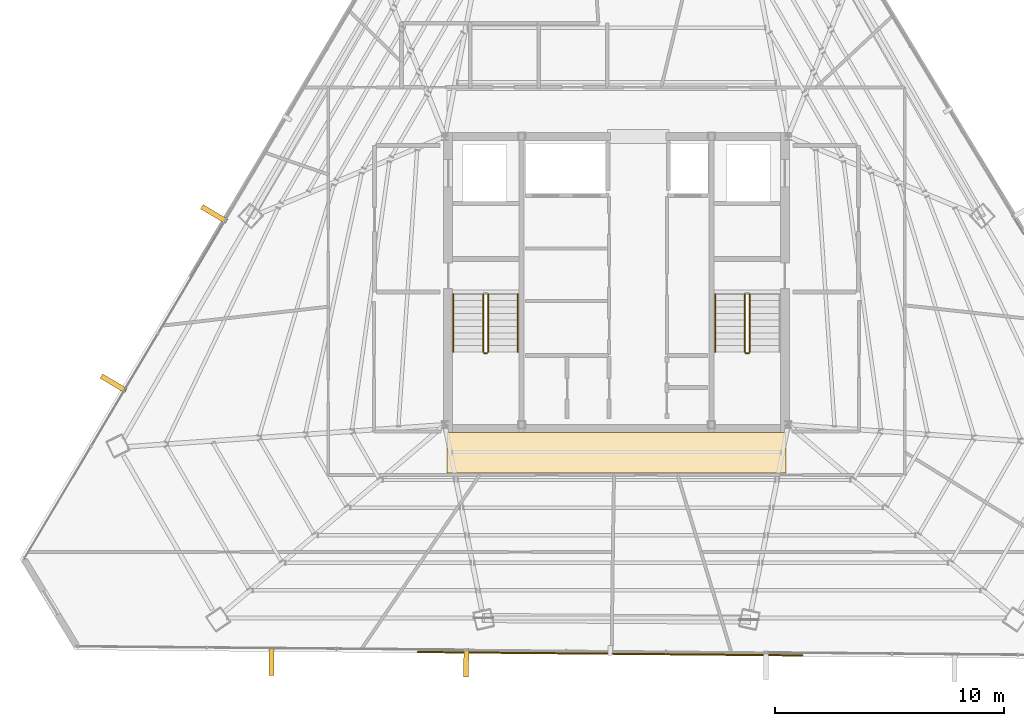
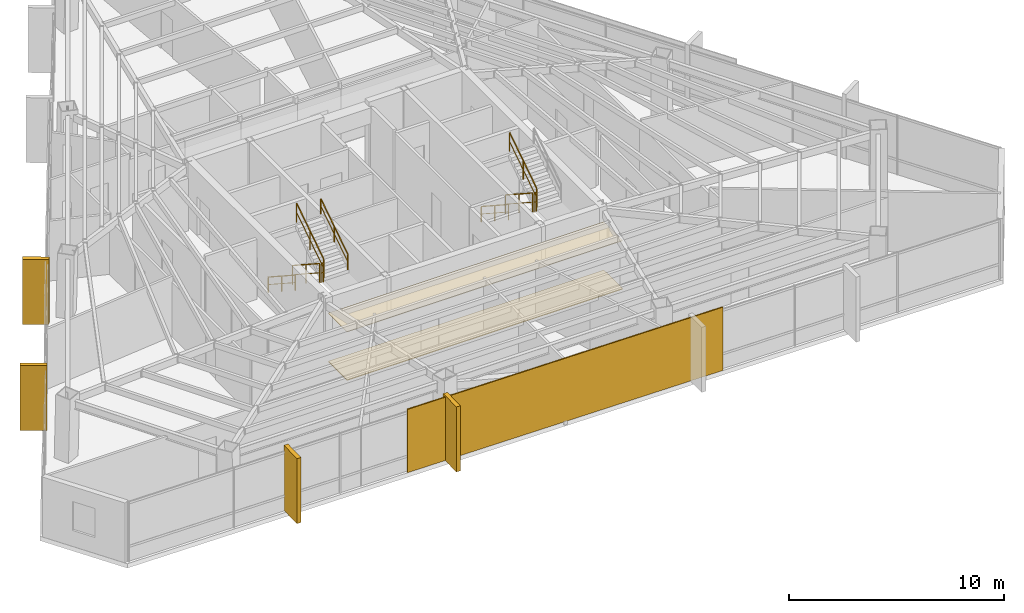
# One storey, part 47 of 49: 9 railings, 6 coverings, 1 shading device.
"""IFC4 building model written with IfcOpenShell, lengths in metres."""

import ifcopenshell
import ifcopenshell.guid

model = None  # the IFC model being written
_history = None  # IfcOwnerHistory: only IFC2X3 demands one
_inside = {}  # id of a spatial element -> (the spatial element, [elements in it])
_under = {}  # id of a project, library or spatial element -> (it, [spatial elements below it])
_declared = {}  # id of a project -> (the project, [libraries it declares])
_typed = {}  # id of a type object -> (the type object, [elements of that type])
_made_of = {}  # id of a material, layer set ... -> (it, [elements and type objects made of it])


def new_model(schema):
    """Start an empty IFC model of exactly this schema.

    Asked for "IFC4X3", IfcOpenShell would pick the latest addendum, in which some entities
    have other attributes; the version numbers below select the first issue.
    IFC2X3 requires an IfcOwnerHistory on every rooted entity: one is made here for all.
    """
    global model, _history
    if schema == "IFC4X3":
        model = ifcopenshell.file(schema_version=(4, 3, 0, 0))
    else:
        model = ifcopenshell.file(schema=schema)
    _inside.clear()
    _under.clear()
    _declared.clear()
    _typed.clear()
    _made_of.clear()
    _history = None
    if model.schema == "IFC2X3":
        org = make("IfcOrganization", Name="unknown")
        user = make(
            "IfcPersonAndOrganization",
            ThePerson=make("IfcPerson", FamilyName="unknown"),
            TheOrganization=org,
        )
        app = make(
            "IfcApplication",
            ApplicationDeveloper=org,
            Version="unknown",
            ApplicationFullName="unknown",
            ApplicationIdentifier="unknown",
        )
        _history = make(
            "IfcOwnerHistory",
            OwningUser=user,
            OwningApplication=app,
            ChangeAction="ADDED",
            CreationDate=0,
        )
    return model


def make(cls, **values):
    """One entity of the class cls with the attributes given. An attribute that is None is left unset."""
    return model.create_entity(
        cls, **{name: value for name, value in values.items() if value is not None}
    )


def rooted(cls, **values):
    """An entity with a GlobalId (a new one), such as an element, a storey or a relation."""
    return make(cls, GlobalId=ifcopenshell.guid.new(), OwnerHistory=_history, **values)


def si_unit(unit_type, name, prefix=None):
    """IfcSIUnit, for example si_unit("LENGTHUNIT", "METRE", prefix="MILLI")."""
    return make("IfcSIUnit", UnitType=unit_type, Prefix=prefix, Name=name)


def assignment(units):
    """IfcUnitAssignment: the units of a project."""
    return None if units is None else make("IfcUnitAssignment", Units=units)


def point(xyz):
    """IfcCartesianPoint."""
    return None if xyz is None else make("IfcCartesianPoint", Coordinates=xyz)


def direction(xyz):
    """IfcDirection."""
    return None if xyz is None else make("IfcDirection", DirectionRatios=xyz)


def frame(location, z_axis=None, x_axis=None):
    """IfcAxis2Placement3D, a coordinate frame: its origin and axes. An axis left out is left unset."""
    return make(
        "IfcAxis2Placement3D",
        Location=point(location),
        Axis=direction(z_axis),
        RefDirection=direction(x_axis),
    )


def frame_2d(location, x_axis=None):
    """IfcAxis2Placement2D, a coordinate frame in the plane: its origin and x axis."""
    return make(
        "IfcAxis2Placement2D", Location=point(location), RefDirection=direction(x_axis)
    )


def origin():
    """The frame at (0, 0, 0) with its axes left unset."""
    return frame((0.0, 0.0, 0.0))


def origin_2d():
    """The frame at (0, 0) in the plane with its x axis left unset."""
    return frame_2d((0.0, 0.0))


def place(relative_to, where):
    """IfcLocalPlacement: puts the frame where relative to a parent placement (None: the world)."""
    return make(
        "IfcLocalPlacement", PlacementRelTo=relative_to, RelativePlacement=where
    )


def context(
    kind, dimensions, precision=None, world=None, true_north=None, identifier=None
):
    """IfcGeometricRepresentationContext, for example the 3D "Model" context."""
    return make(
        "IfcGeometricRepresentationContext",
        ContextIdentifier=identifier,
        ContextType=kind,
        CoordinateSpaceDimension=dimensions,
        Precision=precision,
        WorldCoordinateSystem=world,
        TrueNorth=true_north,
    )


def subcontext(parent, identifier, kind, view, scale=None):
    """IfcGeometricRepresentationSubContext, for example "Body" below "Model"."""
    return make(
        "IfcGeometricRepresentationSubContext",
        ContextIdentifier=identifier,
        ContextType=kind,
        ParentContext=parent,
        TargetScale=scale,
        TargetView=view,
    )


def project(units=None, contexts=None):
    """IfcProject with its units and contexts."""
    return rooted(
        "IfcProject",
        Name="project",
        RepresentationContexts=contexts,
        UnitsInContext=assignment(units),
    )


def spatial(cls, under=None, at=None, **own):
    """A site, building, storey or space (cls), placed at a placement, below another one or the project."""
    s = rooted(cls, ObjectPlacement=at, **own)
    if under is not None:
        _under.setdefault(under.id(), (under, []))[1].append(s)
    return s


def polyline(points):
    """IfcPolyline through the points."""
    return make("IfcPolyline", Points=[point(p) for p in points])


def profile(cls, at=None, kind="AREA", **sizes):
    """A parametric profile (cls). Its sizes go by their IFC names, for example OverallWidth=200.0."""
    return make(cls, ProfileType=kind, Position=at, **sizes)


def rectangle(**sizes):
    """IfcRectangleProfileDef."""
    return profile("IfcRectangleProfileDef", **sizes)


def outline(outer, holes=None, kind="AREA"):
    """IfcArbitraryClosedProfileDef: a profile drawn as a closed curve; with holes, ...WithVoids."""
    if holes is None:
        return make("IfcArbitraryClosedProfileDef", ProfileType=kind, OuterCurve=outer)
    return make(
        "IfcArbitraryProfileDefWithVoids",
        ProfileType=kind,
        OuterCurve=outer,
        InnerCurves=holes,
    )


def extrude(swept, where, along, depth):
    """IfcExtrudedAreaSolid: the profile swept, set in the frame where, extruded along a direction by depth."""
    return make(
        "IfcExtrudedAreaSolid",
        SweptArea=swept,
        Position=where,
        ExtrudedDirection=direction(along),
        Depth=depth,
    )


def shape(context_of_items, identifier, shape_type, items):
    """IfcShapeRepresentation: the items that make up one representation, for example the "Body"."""
    return make(
        "IfcShapeRepresentation",
        ContextOfItems=context_of_items,
        RepresentationIdentifier=identifier,
        RepresentationType=shape_type,
        Items=items,
    )


def source(mapping_origin, context_of_items, identifier, shape_type, items):
    """IfcRepresentationMap: a shape defined once, which mapped items show again and again."""
    return make(
        "IfcRepresentationMap",
        MappingOrigin=mapping_origin,
        MappedRepresentation=shape(context_of_items, identifier, shape_type, items),
    )


def transform(
    local_origin,
    x_axis=None,
    y_axis=None,
    z_axis=None,
    scale=None,
    scale2=None,
    scale3=None,
    uniform=True,
):
    """IfcCartesianTransformationOperator3D, or its non-uniform kind. x_axis, y_axis, z_axis: its Axis1, 2, 3."""
    if uniform:
        return make(
            "IfcCartesianTransformationOperator3D",
            Axis1=direction(x_axis),
            Axis2=direction(y_axis),
            LocalOrigin=point(local_origin),
            Scale=scale,
            Axis3=direction(z_axis),
        )
    return make(
        "IfcCartesianTransformationOperator3DnonUniform",
        Axis1=direction(x_axis),
        Axis2=direction(y_axis),
        LocalOrigin=point(local_origin),
        Scale=scale,
        Axis3=direction(z_axis),
        Scale2=scale2,
        Scale3=scale3,
    )


def mapped(mapping_source, mapping_target):
    """IfcMappedItem: shows the shape of a source again, moved by a transform."""
    return make(
        "IfcMappedItem", MappingSource=mapping_source, MappingTarget=mapping_target
    )


def material(Name=None, Category=None):
    """IfcMaterial."""
    return make("IfcMaterial", Name=Name, Category=Category)


def layer(
    of_material, thickness, ventilated=None, Name=None, Category=None, Priority=None
):
    """IfcMaterialLayer: one layer of a wall or slab, of a material (None: an air gap)."""
    return make(
        "IfcMaterialLayer",
        Material=of_material,
        LayerThickness=thickness,
        IsVentilated=ventilated,
        Name=Name,
        Category=Category,
        Priority=Priority,
    )


def layer_set(layers, Name=None):
    """IfcMaterialLayerSet."""
    return make("IfcMaterialLayerSet", MaterialLayers=layers, LayerSetName=Name)


def made_of(thing, what):
    """Note that an element or type object is made of a material, layer set ...; save() writes the relation."""
    if what is not None:
        _made_of.setdefault(what.id(), (what, []))[1].append(thing)
    return thing


def type_object(cls, material=None, **own):
    """A type object (cls), such as IfcWallType, which elements share."""
    return made_of(rooted(cls, **own), material)


def type_shapes(of_type, sources):
    """Give a type object the sources (RepresentationMaps) that its elements show as mapped items."""
    of_type.RepresentationMaps = sources


def element(
    cls,
    number,
    at=None,
    inside=None,
    cuts=None,
    type_object=None,
    material=None,
    context=None,
    identifier="Body",
    shape_type=None,
    held_by="IfcProductDefinitionShape",
    body=None,
    shapes=None,
    **own,
):
    """One element of the class cls, such as IfcWall. Its Tag is "e" and its number.

    at: its placement. inside: the storey or other place that contains it. cuts: it is an
    opening in that element (IfcRelVoidsElement). A single representation is given by context,
    identifier, shape_type and body (its items); several are given by shapes. held_by: the class
    of the entity that holds the representations. save() writes the other relations.
    """
    e = rooted(cls, Tag="e%d" % number, ObjectPlacement=at, **own)
    if body is not None:
        shapes = [shape(context, identifier, shape_type, body)]
    if shapes is not None:
        e.Representation = make(held_by, Representations=shapes)
    if inside is not None:
        _inside.setdefault(inside.id(), (inside, []))[1].append(e)
    if cuts is not None:
        rooted(
            "IfcRelVoidsElement", RelatingBuildingElement=cuts, RelatedOpeningElement=e
        )
    if type_object is not None:
        _typed.setdefault(type_object.id(), (type_object, []))[1].append(e)
    return made_of(e, material)


def aggregate(whole, parts):
    """IfcRelAggregates: a whole, such as a stair, and the parts it consists of."""
    return rooted("IfcRelAggregates", RelatingObject=whole, RelatedObjects=parts)


def save(model, path):
    """Write the relations noted so far, then the file.

    IfcRelAggregates (storeys below a building ...), IfcRelContainedInSpatialStructure (elements
    in a storey), IfcRelDefinesByType, IfcRelAssociatesMaterial and IfcRelDeclares: one each for
    every whole, place, type object, material and project.
    """
    for whole, parts in _under.values():
        aggregate(whole, parts)
    for where, things in _inside.values():
        rooted(
            "IfcRelContainedInSpatialStructure",
            RelatedElements=things,
            RelatingStructure=where,
        )
    for kind, things in _typed.values():
        rooted("IfcRelDefinesByType", RelatedObjects=things, RelatingType=kind)
    for what, things in _made_of.values():
        rooted("IfcRelAssociatesMaterial", RelatedObjects=things, RelatingMaterial=what)
    for by, libraries in _declared.values():
        rooted("IfcRelDeclares", RelatingContext=by, RelatedDefinitions=libraries)
    model.write(path)


model = new_model("IFC4")

# Units and contexts
model_context = context("Model", 3, precision=1e-05, world=origin(), true_north=direction((0.0, 1.0)))
body_context = subcontext(model_context, "Body", "Model", "MODEL_VIEW")
ifc_project = project(units=[si_unit("LENGTHUNIT", "METRE"), si_unit("AREAUNIT", "SQUARE_METRE"), si_unit("VOLUMEUNIT", "CUBIC_METRE"), si_unit("PLANEANGLEUNIT", "RADIAN"), si_unit("MASSUNIT", "GRAM", prefix="KILO")], contexts=[model_context])

# Site, building, storey
site_placement = place(None, origin())
site = spatial("IfcSite", under=ifc_project, at=site_placement, CompositionType="ELEMENT")
building_placement = place(site_placement, origin())
building = spatial("IfcBuilding", under=site, at=building_placement, Name="Caelisora Broadcast Tower", CompositionType="ELEMENT")
storey_placement = place(building_placement, frame((0.0, 0.0, 233.5)))
storey = spatial("IfcBuildingStorey", under=building, at=storey_placement, Name="L61", CompositionType="ELEMENT", Elevation=233.5)

# Coverings
ifc_material_1 = material(Name="Perforated Mineral-Fibre Acoustic Ceiling Tile", Category="gypsum")
ifc_layer_1 = layer(ifc_material_1, 0.034912109375, Name="Perforated Mineral-Fibre Acoustic Ceiling Tile")
ifc_layer_set_1 = layer_set([ifc_layer_1], Name="Perforated Mineral-Fibre Acoustic Ceiling Tile")
covering_type_1 = type_object("IfcCoveringType", Name="CE-1", PredefinedType="CEILING", material=ifc_layer_set_1)
covering_1_placement = place(storey_placement, frame((0.0, 0.0, 2.75)))
element("IfcCovering", 1, at=covering_1_placement, inside=storey, type_object=covering_type_1, Name="L61 acoustic corridor ceiling CE-1 (S)", PredefinedType="CEILING", context=body_context, shape_type="SweptSolid", body=[
    extrude(outline(polyline([(30.60009765625, 15.300048828125), (45.39990234375, 15.300048828125), (45.39990234375, 17.050048828125), (30.60009765625, 17.050048828125), (30.60009765625, 15.300048828125)])), origin(), (0.0, 0.0, 1.0), 0.034912109375),
])
ifc_material_2 = material(Name="Anti-Static Broadcast Raised Access Floor Panel", Category="steel")
ifc_layer_2 = layer(ifc_material_2, 0.044921875, Name="Anti-Static Broadcast Raised Access Floor Panel")
ifc_layer_set_2 = layer_set([ifc_layer_2], Name="Anti-Static Broadcast Raised Access Floor Panel")
covering_type_2 = type_object("IfcCoveringType", Name="FL-1", PredefinedType="FLOORING", material=ifc_layer_set_2)
covering_2_placement = place(storey_placement, origin())
element("IfcCovering", 2, at=covering_2_placement, inside=storey, type_object=covering_type_2, Name="L61 broadcast raised access floor FL-1 (S)", PredefinedType="FLOORING", context=body_context, shape_type="SweptSolid", body=[
    extrude(outline(polyline([(30.60009765625, 15.300048828125), (45.39990234375, 15.300048828125), (45.39990234375, 17.050048828125), (30.60009765625, 17.050048828125), (30.60009765625, 15.300048828125)])), origin(), (0.0, 0.0, 1.0), 0.044921875),
])

# Railings
ifc_material_3 = material(Name="Galvanised Steel Safety Guardrail", Category="steel")
ifc_layer_3 = layer(ifc_material_3, 0.048095703125, Name="Galvanised Steel Safety Guardrail")
ifc_layer_set_3 = layer_set([ifc_layer_3], Name="Galvanised Steel Safety Guardrail")
railing_type_1 = type_object("IfcRailingType", Name="GR-1", PredefinedType="GUARDRAIL", material=ifc_layer_set_3)
railing_1_placement = place(storey_placement, frame((32.169921875, 23.10009765625, 0.1826171875)))
element("IfcRailing", 3, at=railing_1_placement, inside=storey, type_object=railing_type_1, Name="L61 ST-1 stair guard 1", PredefinedType="GUARDRAIL", context=body_context, shape_type="SweptSolid", body=[
    extrude(rectangle(XDim=0.048095703125, YDim=0.048095703125, at=origin_2d()), frame((0.0, 0.0, 1.076171875), z_axis=(0.0, -0.837786554691, 0.545997883492), x_axis=(1.0, 0.0, 0.0)), (0.0, 0.0, 1.0), 3.008056640625),
    extrude(rectangle(XDim=0.03125, YDim=0.03125, at=origin_2d()), frame((0.0, 0.0, 0.550048828125), z_axis=(0.0, -0.837786554691, 0.545997883492), x_axis=(1.0, 0.0, 0.0)), (0.0, 0.0, 1.0), 3.008056640625),
    extrude(rectangle(XDim=0.0419921875, YDim=0.0419921875, at=origin_2d()), origin(), (0.0, 0.0, 1.0), 1.052001953125),
    extrude(rectangle(XDim=0.0419921875, YDim=0.0419921875, at=origin_2d()), frame((0.0, -1.260009765625, 0.8212890625)), (0.0, 0.0, 1.0), 1.052001953125),
    extrude(rectangle(XDim=0.0419921875, YDim=0.0419921875, at=origin_2d()), frame((0.0, -2.52001953125, 1.642333984375)), (0.0, 0.0, 1.0), 1.052001953125),
])
railing_2_placement = place(storey_placement, frame((32.219970703125, 20.530029296875, 1.824951171875)))
element("IfcRailing", 4, at=railing_2_placement, inside=storey, type_object=railing_type_1, Name="L61 ST-1 stair guard 2", PredefinedType="GUARDRAIL", context=body_context, shape_type="SweptSolid", body=[
    extrude(rectangle(XDim=0.048095703125, YDim=0.048095703125, at=origin_2d()), frame((0.0, 0.0, 1.076171875), z_axis=(1.0, 0.0, 0.0), x_axis=(0.0, 1.0, 0.0)), (0.0, 0.0, 1.0), 0.1201171875),
    extrude(rectangle(XDim=0.03125, YDim=0.03125, at=origin_2d()), frame((0.0, 0.0, 0.550048828125), z_axis=(1.0, 0.0, 0.0), x_axis=(0.0, 1.0, 0.0)), (0.0, 0.0, 1.0), 0.1201171875),
    extrude(rectangle(XDim=0.0419921875, YDim=0.0419921875, at=origin_2d()), origin(), (0.0, 0.0, 1.0), 1.052001953125),
    extrude(rectangle(XDim=0.0419921875, YDim=0.0419921875, at=origin_2d()), frame((0.1201171875, 0.0, 0.0)), (0.0, 0.0, 1.0), 1.052001953125),
])
railing_3_placement = place(storey_placement, frame((32.389892578125, 20.580078125, 2.007568359375)))
element("IfcRailing", 5, at=railing_3_placement, inside=storey, type_object=railing_type_1, Name="L61 ST-1 stair guard 3", PredefinedType="GUARDRAIL", context=body_context, shape_type="SweptSolid", body=[
    extrude(rectangle(XDim=0.048095703125, YDim=0.048095703125, at=origin_2d()), frame((0.0, 0.0, 1.076171875), z_axis=(0.0, 0.837786554691, 0.545997883492), x_axis=(-1.0, 0.0, 0.0)), (0.0, 0.0, 1.0), 3.008056640625),
    extrude(rectangle(XDim=0.03125, YDim=0.03125, at=origin_2d()), frame((0.0, 0.0, 0.550048828125), z_axis=(0.0, 0.837786554691, 0.545997883492), x_axis=(-1.0, 0.0, 0.0)), (0.0, 0.0, 1.0), 3.008056640625),
    extrude(rectangle(XDim=0.0419921875, YDim=0.0419921875, at=origin_2d()), origin(), (0.0, 0.0, 1.0), 1.052001953125),
    extrude(rectangle(XDim=0.0419921875, YDim=0.0419921875, at=origin_2d()), frame((0.0, 1.260009765625, 0.8212890625)), (0.0, 0.0, 1.0), 1.052001953125),
    extrude(rectangle(XDim=0.0419921875, YDim=0.0419921875, at=origin_2d()), frame((0.0, 2.52001953125, 1.642333984375)), (0.0, 0.0, 1.0), 1.052001953125),
])
railing_4_placement = place(storey_placement, frame((43.610107421875, 23.10009765625, 0.1826171875)))
element("IfcRailing", 6, at=railing_4_placement, inside=storey, type_object=railing_type_1, Name="L61 ST-2 stair guard 1", PredefinedType="GUARDRAIL", context=body_context, shape_type="SweptSolid", body=[
    extrude(rectangle(XDim=0.048095703125, YDim=0.048095703125, at=origin_2d()), frame((0.0, 0.0, 1.076171875), z_axis=(0.0, -0.837786554691, 0.545997883492), x_axis=(1.0, 0.0, 0.0)), (0.0, 0.0, 1.0), 3.008056640625),
    extrude(rectangle(XDim=0.03125, YDim=0.03125, at=origin_2d()), frame((0.0, 0.0, 0.550048828125), z_axis=(0.0, -0.837786554691, 0.545997883492), x_axis=(1.0, 0.0, 0.0)), (0.0, 0.0, 1.0), 3.008056640625),
    extrude(rectangle(XDim=0.0419921875, YDim=0.0419921875, at=origin_2d()), origin(), (0.0, 0.0, 1.0), 1.052001953125),
    extrude(rectangle(XDim=0.0419921875, YDim=0.0419921875, at=origin_2d()), frame((0.0, -1.260009765625, 0.8212890625)), (0.0, 0.0, 1.0), 1.052001953125),
    extrude(rectangle(XDim=0.0419921875, YDim=0.0419921875, at=origin_2d()), frame((0.0, -2.52001953125, 1.642333984375)), (0.0, 0.0, 1.0), 1.052001953125),
])
railing_5_placement = place(storey_placement, frame((43.659912109375, 20.530029296875, 1.824951171875)))
element("IfcRailing", 7, at=railing_5_placement, inside=storey, type_object=railing_type_1, Name="L61 ST-2 stair guard 2", PredefinedType="GUARDRAIL", context=body_context, shape_type="SweptSolid", body=[
    extrude(rectangle(XDim=0.048095703125, YDim=0.048095703125, at=origin_2d()), frame((0.0, 0.0, 1.076171875), z_axis=(1.0, 0.0, 0.0), x_axis=(0.0, 1.0, 0.0)), (0.0, 0.0, 1.0), 0.1201171875),
    extrude(rectangle(XDim=0.03125, YDim=0.03125, at=origin_2d()), frame((0.0, 0.0, 0.550048828125), z_axis=(1.0, 0.0, 0.0), x_axis=(0.0, 1.0, 0.0)), (0.0, 0.0, 1.0), 0.1201171875),
    extrude(rectangle(XDim=0.0419921875, YDim=0.0419921875, at=origin_2d()), origin(), (0.0, 0.0, 1.0), 1.052001953125),
    extrude(rectangle(XDim=0.0419921875, YDim=0.0419921875, at=origin_2d()), frame((0.1201171875, 0.0, 0.0)), (0.0, 0.0, 1.0), 1.052001953125),
])
railing_6_placement = place(storey_placement, frame((43.830078125, 20.580078125, 2.007568359375)))
element("IfcRailing", 8, at=railing_6_placement, inside=storey, type_object=railing_type_1, Name="L61 ST-2 stair guard 3", PredefinedType="GUARDRAIL", context=body_context, shape_type="SweptSolid", body=[
    extrude(rectangle(XDim=0.048095703125, YDim=0.048095703125, at=origin_2d()), frame((0.0, 0.0, 1.076171875), z_axis=(0.0, 0.837786554691, 0.545997883492), x_axis=(-1.0, 0.0, 0.0)), (0.0, 0.0, 1.0), 3.008056640625),
    extrude(rectangle(XDim=0.03125, YDim=0.03125, at=origin_2d()), frame((0.0, 0.0, 0.550048828125), z_axis=(0.0, 0.837786554691, 0.545997883492), x_axis=(-1.0, 0.0, 0.0)), (0.0, 0.0, 1.0), 3.008056640625),
    extrude(rectangle(XDim=0.0419921875, YDim=0.0419921875, at=origin_2d()), origin(), (0.0, 0.0, 1.0), 1.052001953125),
    extrude(rectangle(XDim=0.0419921875, YDim=0.0419921875, at=origin_2d()), frame((0.0, 1.260009765625, 0.8212890625)), (0.0, 0.0, 1.0), 1.052001953125),
    extrude(rectangle(XDim=0.0419921875, YDim=0.0419921875, at=origin_2d()), frame((0.0, 2.52001953125, 1.642333984375)), (0.0, 0.0, 1.0), 1.052001953125),
])
ifc_material_4 = material(Name="Stainless Steel Grade 316 Tubular Handrail", Category="steel")
ifc_layer_4 = layer(ifc_material_4, 0.048095703125, Name="Stainless Steel Grade 316 Tubular Handrail")
ifc_layer_set_4 = layer_set([ifc_layer_4], Name="Stainless Steel Grade 316 Tubular Handrail")
railing_type_2 = type_object("IfcRailingType", Name="HR-1", PredefinedType="HANDRAIL", material=ifc_layer_set_4)
railing_7_placement = place(storey_placement, frame((30.8701171875, 23.10009765625, 0.1826171875)))
element("IfcRailing", 9, at=railing_7_placement, inside=storey, type_object=railing_type_2, Name="L61 ST-1 stair handrail 1", PredefinedType="HANDRAIL", context=body_context, shape_type="SweptSolid", body=[
    extrude(rectangle(XDim=0.048095703125, YDim=0.048095703125, at=origin_2d()), frame((0.0, 0.0, 0.8759765625), z_axis=(0.0, -0.837786554691, 0.545997883492), x_axis=(1.0, 0.0, 0.0)), (0.0, 0.0, 1.0), 3.008056640625),
    extrude(rectangle(XDim=0.03125, YDim=0.03125, at=origin_2d()), frame((0.0, 0.0, 0.449951171875), z_axis=(0.0, -0.837786554691, 0.545997883492), x_axis=(1.0, 0.0, 0.0)), (0.0, 0.0, 1.0), 3.008056640625),
    extrude(rectangle(XDim=0.0419921875, YDim=0.0419921875, at=origin_2d()), origin(), (0.0, 0.0, 1.0), 0.851806640625),
    extrude(rectangle(XDim=0.0419921875, YDim=0.0419921875, at=origin_2d()), frame((0.0, -1.260009765625, 0.8212890625)), (0.0, 0.0, 1.0), 0.851806640625),
    extrude(rectangle(XDim=0.0419921875, YDim=0.0419921875, at=origin_2d()), frame((0.0, -2.52001953125, 1.642333984375)), (0.0, 0.0, 1.0), 0.851806640625),
])
railing_8_placement = place(storey_placement, frame((33.68994140625, 20.580078125, 2.007568359375)))
element("IfcRailing", 10, at=railing_8_placement, inside=storey, type_object=railing_type_2, Name="L61 ST-1 stair handrail 2", PredefinedType="HANDRAIL", context=body_context, shape_type="SweptSolid", body=[
    extrude(rectangle(XDim=0.048095703125, YDim=0.048095703125, at=origin_2d()), frame((0.0, 0.0, 0.8759765625), z_axis=(0.0, 0.837786554691, 0.545997883492), x_axis=(-1.0, 0.0, 0.0)), (0.0, 0.0, 1.0), 3.008056640625),
    extrude(rectangle(XDim=0.03125, YDim=0.03125, at=origin_2d()), frame((0.0, 0.0, 0.449951171875), z_axis=(0.0, 0.837786554691, 0.545997883492), x_axis=(-1.0, 0.0, 0.0)), (0.0, 0.0, 1.0), 3.008056640625),
    extrude(rectangle(XDim=0.0419921875, YDim=0.0419921875, at=origin_2d()), origin(), (0.0, 0.0, 1.0), 0.851806640625),
    extrude(rectangle(XDim=0.0419921875, YDim=0.0419921875, at=origin_2d()), frame((0.0, 1.260009765625, 0.8212890625)), (0.0, 0.0, 1.0), 0.851806640625),
    extrude(rectangle(XDim=0.0419921875, YDim=0.0419921875, at=origin_2d()), frame((0.0, 2.52001953125, 1.642333984375)), (0.0, 0.0, 1.0), 0.851806640625),
])
railing_9_placement = place(storey_placement, frame((42.31005859375, 23.10009765625, 0.1826171875)))
element("IfcRailing", 11, at=railing_9_placement, inside=storey, type_object=railing_type_2, Name="L61 ST-2 stair handrail 1", PredefinedType="HANDRAIL", context=body_context, shape_type="SweptSolid", body=[
    extrude(rectangle(XDim=0.048095703125, YDim=0.048095703125, at=origin_2d()), frame((0.0, 0.0, 0.8759765625), z_axis=(0.0, -0.837786554691, 0.545997883492), x_axis=(1.0, 0.0, 0.0)), (0.0, 0.0, 1.0), 3.008056640625),
    extrude(rectangle(XDim=0.03125, YDim=0.03125, at=origin_2d()), frame((0.0, 0.0, 0.449951171875), z_axis=(0.0, -0.837786554691, 0.545997883492), x_axis=(1.0, 0.0, 0.0)), (0.0, 0.0, 1.0), 3.008056640625),
    extrude(rectangle(XDim=0.0419921875, YDim=0.0419921875, at=origin_2d()), origin(), (0.0, 0.0, 1.0), 0.851806640625),
    extrude(rectangle(XDim=0.0419921875, YDim=0.0419921875, at=origin_2d()), frame((0.0, -1.260009765625, 0.8212890625)), (0.0, 0.0, 1.0), 0.851806640625),
    extrude(rectangle(XDim=0.0419921875, YDim=0.0419921875, at=origin_2d()), frame((0.0, -2.52001953125, 1.642333984375)), (0.0, 0.0, 1.0), 0.851806640625),
])

# Coverings
ifc_material_5 = material(Name="Kiln-Fired Terracotta Spandrel Rainscreen Cladding", Category="ceramic")
ifc_layer_5 = layer(ifc_material_5, 0.044921875, Name="Kiln-Fired Terracotta Spandrel Rainscreen Cladding")
ifc_layer_set_5 = layer_set([ifc_layer_5], Name="Kiln-Fired Terracotta Spandrel Rainscreen Cladding")
covering_type_3 = type_object("IfcCoveringType", Name="CL-1", PredefinedType="CLADDING", material=ifc_layer_set_5)
shared_shape_1 = source(origin(), body_context, "Body", "SweptSolid", [
    extrude(rectangle(XDim=0.219970703125, YDim=1.25, at=origin_2d()), origin(), (0.0, 0.0, 1.0), 3.68994140625),
])
type_shapes(covering_type_3, [shared_shape_1])
for number, where, z_axis, x_axis, name in (
    (12, (31.431396484375, 6.99658203125, -0.02001953125), (0.0, 0.0, 1.0), (-0.999960384766, 0.008901061644, 0.0), "L61 vertical solar fin cladding #2-3"),
    (13, (22.919677734375, 7.072265625, -0.02001953125), (0.0, 0.0, 1.0), (-0.999960384766, 0.008901061644, 0.0), "L61 vertical solar fin cladding #2-4"),
    (14, (16.017333984375, 19.2080078125, -0.02001953125), (0.0, 0.0, 1.0), (0.510843031866, 0.859674006117, 0.0), "L61 vertical solar fin cladding #3-1"),
    (15, (20.4150390625, 26.60791015625, -0.02001953125), (0.0, 0.0, 1.0), (0.510843031866, 0.859674006117, 0.0), "L61 vertical solar fin cladding #3-2"),
):
    element("IfcCovering", number, at=place(storey_placement, frame(where, z_axis=z_axis, x_axis=x_axis)), inside=storey, type_object=covering_type_3, Name=name, PredefinedType="CLADDING", context=body_context, shape_type="MappedRepresentation", body=[
        mapped(shared_shape_1, transform((0.0, 0.0, 0.0), scale=1.0)),
    ])

# Shading device
ifc_material_6 = material(Name="Perforated Glazed Terracotta Baguette Solar Screen", Category="ceramic")
ifc_layer_6 = layer(ifc_material_6, 0.06494140625, Name="Perforated Glazed Terracotta Baguette Solar Screen")
ifc_layer_set_6 = layer_set([ifc_layer_6], Name="Perforated Glazed Terracotta Baguette Solar Screen")
shading_device_type = type_object("IfcShadingDeviceType", Name="SS-1", PredefinedType="USERDEFINED", material=ifc_layer_set_6)
shared_shape_2 = source(origin(), body_context, "Body", "SweptSolid", [
    extrude(rectangle(XDim=16.845947265625, YDim=0.06494140625, at=origin_2d()), origin(), (0.0, 0.0, 1.0), 3.590087890625),
])
type_shapes(shading_device_type, [shared_shape_2])
shading_device_placement = place(storey_placement, frame((37.724365234375, 7.390380859375, 0.0), z_axis=(0.0, 0.0, 1.0), x_axis=(0.999960384766, -0.008901061644, 0.0)))
element("IfcShadingDevice", 16, at=shading_device_placement, inside=storey, type_object=shading_device_type, Name="L61 perforated terracotta solar screen #2", ObjectType="SOLAR SCREEN", PredefinedType="USERDEFINED", context=body_context, shape_type="MappedRepresentation", body=[
    mapped(shared_shape_2, transform((0.0, 0.0, 0.0), scale=1.0)),
])

save(model, "model.ifc")
